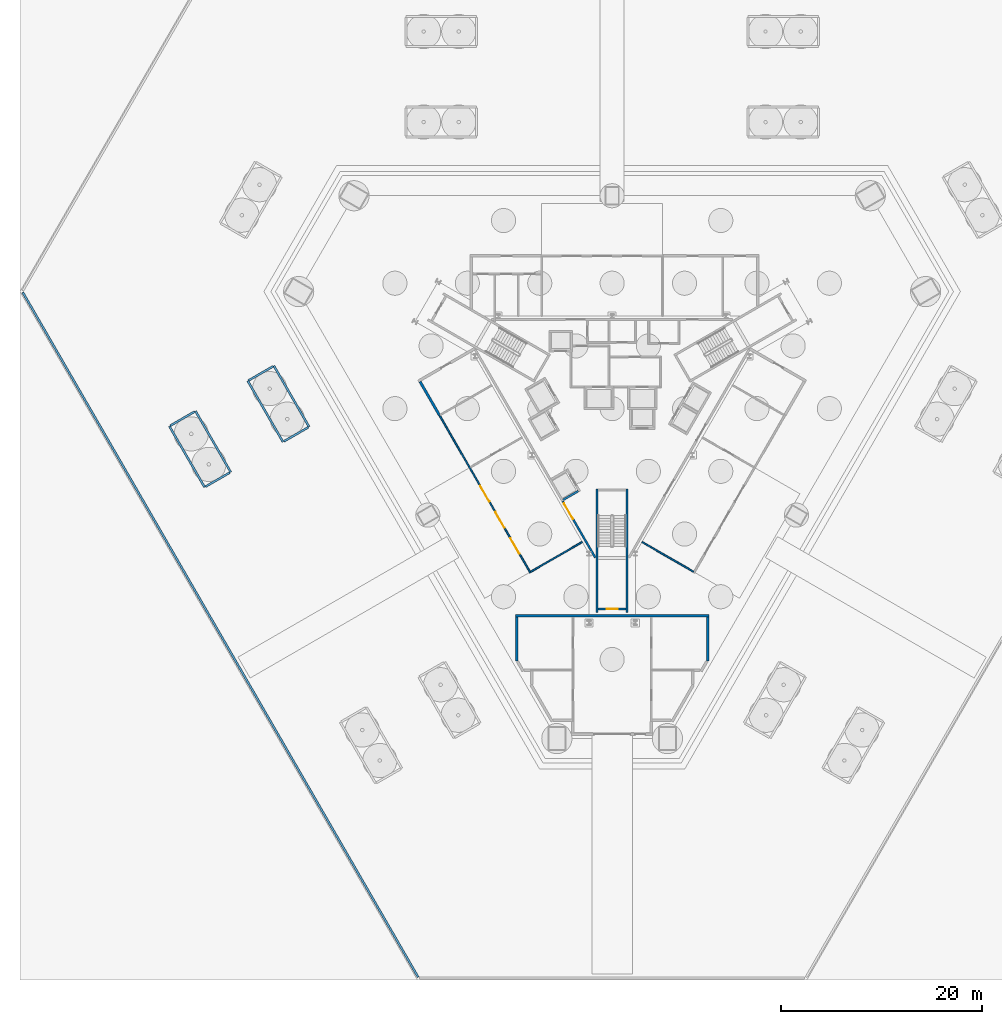
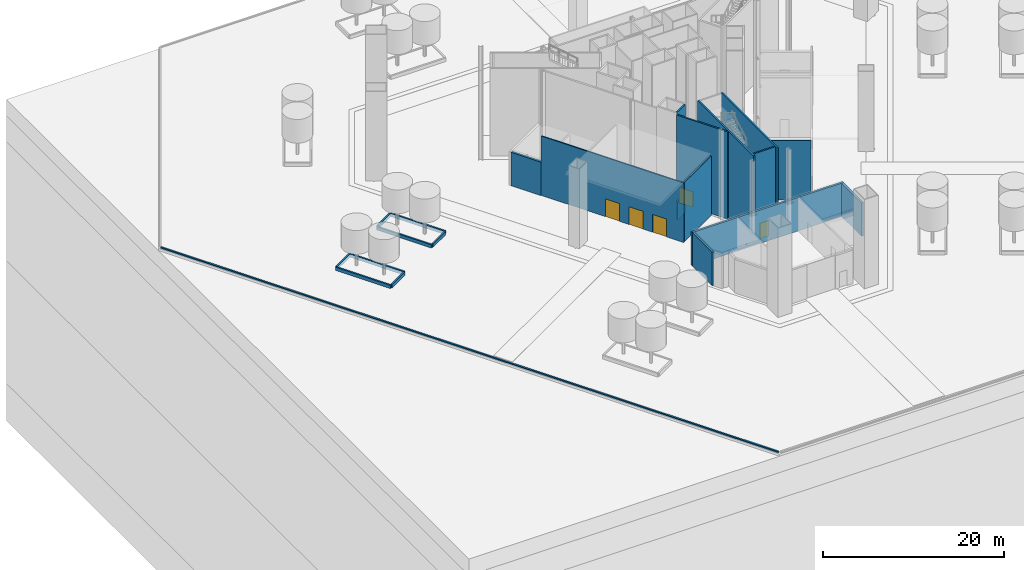
# One storey, part 5 of 22: 22 walls, 5 doors, 5 openings.
"""IFC4 building model written with IfcOpenShell, lengths in metres."""

from ifc_helpers import new_model, si_unit, direction, frame, frame_2d, origin, place, context, subcontext, project, spatial, rectangle, extrude, material, layer, layer_set, type_object, element, fill, save


model = new_model("IFC4")

# Units and contexts
model_context = context("Model", 3, precision=1e-05, world=origin(), true_north=direction((0.0, 1.0)))
body_context = subcontext(model_context, "Body", "Model", "MODEL_VIEW")
ifc_project = project(units=[si_unit("LENGTHUNIT", "METRE"), si_unit("AREAUNIT", "SQUARE_METRE"), si_unit("VOLUMEUNIT", "CUBIC_METRE"), si_unit("PLANEANGLEUNIT", "RADIAN"), si_unit("MASSUNIT", "GRAM", prefix="KILO")], contexts=[model_context])

# Site, building, storey
site_placement = place(None, origin())
site = spatial("IfcSite", under=ifc_project, at=site_placement, CompositionType="ELEMENT")
building_placement = place(site_placement, origin())
building = spatial("IfcBuilding", under=site, at=building_placement, Name="Verrane Prism Tower", CompositionType="ELEMENT")
storey_placement = place(building_placement, origin())
storey = spatial("IfcBuildingStorey", under=building, at=storey_placement, Name="L00", CompositionType="ELEMENT", Elevation=0.0)

# Wall, opening, door
ifc_material_1 = material(Name="Gypsum board partition", Category="other")
ifc_layer_1 = layer(ifc_material_1, 0.199951171875)
ifc_layer_set_1 = layer_set([ifc_layer_1], Name="CW-200 core boundary wall 2 h")
wall_type_1 = type_object("IfcWallType", Name="CW-200 core boundary wall 2 h", PredefinedType="PARTITIONING", material=ifc_layer_set_1)
wall_1_placement = place(storey_placement, frame((-4.9140625, -9.2080078125, 0.0), z_axis=(0.0, 0.0, 1.0), x_axis=(0.499947703927, -0.866055594831, 0.0)))
wall_1 = element("IfcWall", 1, at=wall_1_placement, inside=storey, type_object=wall_type_1, Name="Core boundary wall CW3-003", PredefinedType="PARTITIONING", context=body_context, shape_type="SweptSolid", body=[
    extrude(rectangle(XDim=6.473876953125, YDim=0.199951171875, at=frame_2d((3.23681640625, 0.0))), origin(), (0.0, 0.0, 1.0), 11.75),
])
opening_1_placement = place(wall_1_placement, frame((0.25, 0.0, 0.0)))
opening_1 = element("IfcOpeningElement", 2, at=opening_1_placement, cuts=wall_1, Name="Opening D00514", PredefinedType="OPENING", context=body_context, shape_type="SweptSolid", body=[
    extrude(rectangle(XDim=1.800048828125, YDim=2.10009765625, at=frame_2d((0.89990234375, 1.050048828125))), frame((0.0, 0.10986328125, 0.0), z_axis=(0.0, -1.0, 0.0), x_axis=(1.0, 0.0, 0.0)), (0.0, 0.0, 1.0), 0.219970703125),
])
ifc_material_2 = material(Name="Timber veneered door leaf", Category="wood")
door_type_1 = type_object("IfcDoorType", Name="DR-1800x2100 FD60 double leaf lift lobby", OperationType="NOTDEFINED", PredefinedType="DOOR", material=ifc_material_2)
door_1_placement = place(opening_1_placement, origin())
door_1 = element("IfcDoor", 3, at=door_1_placement, inside=storey, type_object=door_type_1, Name="Lift lobby door D00514", OperationType="DOUBLE_DOOR_SINGLE_SWING", OverallHeight=2.10009765625, OverallWidth=1.800048828125, PredefinedType="DOOR", context=body_context, shape_type="SweptSolid", body=[
    extrude(rectangle(XDim=1.800048828125, YDim=2.10009765625, at=frame_2d((0.89990234375, 1.050048828125))), frame((0.0, 0.02490234375, 0.0), z_axis=(0.0, -1.0, 0.0), x_axis=(1.0, 0.0, 0.0)), (0.0, 0.0, 1.0), 0.050048828125),
])
fill(opening_1, door_1)

ifc_material_3 = material(Name="Concrete C40/50", Category="concrete")
ifc_layer_2 = layer(ifc_material_3, 0.199951171875)
ifc_layer_set_2 = layer_set([ifc_layer_2], Name="CW-200 stair core wall concrete C40/50 3 h")
wall_type_2 = type_object("IfcWallType", Name="CW-200 stair core wall concrete C40/50 3 h", PredefinedType="PARTITIONING", material=ifc_layer_set_2)
wall_2_placement = place(storey_placement, frame((-1.39990234375, -19.89990234375, 0.0), z_axis=(0.0, 0.0, 1.0), x_axis=(1.0, 0.0, 0.0)))
wall_2 = element("IfcWall", 4, at=wall_2_placement, inside=storey, type_object=wall_type_2, Name="Stair 3 enclosure wall", PredefinedType="PARTITIONING", context=body_context, shape_type="SweptSolid", body=[
    extrude(rectangle(XDim=2.7998046875, YDim=0.199951171875, at=frame_2d((1.39990234375, 0.0))), origin(), (0.0, 0.0, 1.0), 11.75),
])
opening_2_placement = place(wall_2_placement, frame((0.85009765625, 0.0, 0.0)))
opening_2 = element("IfcOpeningElement", 5, at=opening_2_placement, cuts=wall_2, Name="Opening D00502", PredefinedType="OPENING", context=body_context, shape_type="SweptSolid", body=[
    extrude(rectangle(XDim=1.10009765625, YDim=2.10009765625, at=frame_2d((0.550048828125, 1.050048828125))), frame((0.0, 0.10986328125, 0.0), z_axis=(0.0, -1.0, 0.0), x_axis=(1.0, 0.0, 0.0)), (0.0, 0.0, 1.0), 0.219970703125),
])
ifc_material_4 = material(Name="Timber veneered door leaf", Category="wood")
door_type_2 = type_object("IfcDoorType", Name="DR-1100x2100 FD90 single leaf stair", OperationType="NOTDEFINED", PredefinedType="DOOR", material=ifc_material_4)
door_2_placement = place(opening_2_placement, frame((1.10009765625, 0.0, 0.0), z_axis=(0.0, 0.0, 1.0), x_axis=(-1.0, 0.0, 0.0)))
door_2 = element("IfcDoor", 6, at=door_2_placement, inside=storey, type_object=door_type_2, Name="Stair 3 door", OperationType="SINGLE_SWING_LEFT", OverallHeight=2.10009765625, OverallWidth=1.10009765625, PredefinedType="DOOR", context=body_context, shape_type="SweptSolid", body=[
    extrude(rectangle(XDim=1.10009765625, YDim=2.10009765625, at=frame_2d((0.550048828125, 1.050048828125))), frame((0.0, 0.02490234375, 0.0), z_axis=(0.0, -1.0, 0.0), x_axis=(1.0, 0.0, 0.0)), (0.0, 0.0, 1.0), 0.050048828125),
])
fill(opening_2, door_2)

# Walls
for number, where, z_axis, x_axis, name in (
    (7, (1.5, -8.0, 0.0), (0.0, 0.0, 1.0), (0.0, -1.0, 0.0), "Stair 3 enclosure wall"),
    (8, (-1.5, -8.0, 0.0), (0.0, 0.0, 1.0), (0.0, -1.0, 0.0), "Stair 3 enclosure wall"),
):
    element("IfcWall", number, at=place(storey_placement, frame(where, z_axis=z_axis, x_axis=x_axis)), inside=storey, type_object=wall_type_2, Name=name, PredefinedType="PARTITIONING", context=body_context, shape_type="SweptSolid", body=[
        extrude(rectangle(XDim=12.280029296875, YDim=0.199951171875, at=frame_2d((6.14013671875, 0.0))), origin(), (0.0, 0.0, 1.0), 11.75),
    ])
ifc_material_5 = material(Name="Concrete C30/37", Category="concrete")
ifc_layer_3 = layer(ifc_material_5, 0.25)
ifc_layer_set_3 = layer_set([ifc_layer_3], Name="EW-250 service enclosure wall")
wall_type_3 = type_object("IfcWallType", Name="EW-250 service enclosure wall", PredefinedType="SOLIDWALL", material=ifc_layer_set_3)
wall_3_placement = place(storey_placement, frame((-19.1015625, 2.683837890625, 0.0), z_axis=(0.0, 0.0, 1.0), x_axis=(0.49999591573, -0.866027761826, 0.0)))
element("IfcWall", 9, at=wall_3_placement, inside=storey, type_object=wall_type_3, Name="Service room wall 001", PredefinedType="SOLIDWALL", context=body_context, shape_type="SweptSolid", body=[
    extrude(rectangle(XDim=3.8125, YDim=0.25, at=frame_2d((1.90625, 0.0))), origin(), (0.0, 0.0, 1.0), 4.5),
])
wall_4_placement = place(storey_placement, frame((-9.5, -25.110107421875, 0.0), z_axis=(0.0, 0.0, 1.0), x_axis=(0.0, 1.0, 0.0)))
element("IfcWall", 10, at=wall_4_placement, inside=storey, type_object=wall_type_3, Name="Service room wall 010", PredefinedType="SOLIDWALL", context=body_context, shape_type="SweptSolid", body=[
    extrude(rectangle(XDim=4.385009765625, YDim=0.25, at=frame_2d((2.1923828125, 0.0))), origin(), (0.0, 0.0, 1.0), 4.5),
])
wall_5_placement = place(storey_placement, frame((-9.625, -20.60009765625, 0.0), z_axis=(0.0, 0.0, 1.0), x_axis=(1.0, 0.0, 0.0)))
element("IfcWall", 11, at=wall_5_placement, inside=storey, type_object=wall_type_3, Name="Service room wall 012", PredefinedType="SOLIDWALL", context=body_context, shape_type="SweptSolid", body=[
    extrude(rectangle(XDim=19.25, YDim=0.25, at=frame_2d((9.625, 0.0))), origin(), (0.0, 0.0, 1.0), 4.5),
])
wall_6_placement = place(storey_placement, frame((9.5, -25.110107421875, 0.0), z_axis=(0.0, 0.0, 1.0), x_axis=(0.0, 1.0, 0.0)))
element("IfcWall", 12, at=wall_6_placement, inside=storey, type_object=wall_type_3, Name="Service room wall 038", PredefinedType="SOLIDWALL", context=body_context, shape_type="SweptSolid", body=[
    extrude(rectangle(XDim=4.385009765625, YDim=0.25, at=frame_2d((2.1923828125, 0.0))), origin(), (0.0, 0.0, 1.0), 4.5),
])
ifc_material_6 = material(Name="Gypsum board shaft wall assembly", Category="other")
ifc_layer_4 = layer(ifc_material_6, 0.199951171875)
ifc_layer_set_4 = layer_set([ifc_layer_4], Name="HW-200 lift shaft wall 2 h")
wall_type_4 = type_object("IfcWallType", Name="HW-200 lift shaft wall 2 h", PredefinedType="PARTITIONING", material=ifc_layer_set_4)
wall_7_placement = place(storey_placement, frame((-4.87890625, -9.069580078125, 0.0), z_axis=(0.0, 0.0, 1.0), x_axis=(0.866036909293, 0.499980071345, 0.0)))
element("IfcWall", 13, at=wall_7_placement, inside=storey, type_object=wall_type_4, Name="Lift shaft wall", PredefinedType="PARTITIONING", context=body_context, shape_type="SweptSolid", body=[
    extrude(rectangle(XDim=1.75, YDim=0.199951171875, at=frame_2d((0.875, 0.0))), origin(), (0.0, 0.0, 1.0), 12.0),
])
wall_8_placement = place(storey_placement, frame((-4.87890625, -9.069580078125, -2.5), z_axis=(0.0, 0.0, 1.0), x_axis=(0.866036909293, 0.499980071345, 0.0)))
element("IfcWall", 14, at=wall_8_placement, inside=storey, type_object=wall_type_4, Name="Lift pit wall", PredefinedType="PARTITIONING", context=body_context, shape_type="SweptSolid", body=[
    extrude(rectangle(XDim=1.75, YDim=0.199951171875, at=frame_2d((0.875, 0.0))), origin(), (0.0, 0.0, 1.0), 2.5),
])
ifc_material_7 = material(Name="Granite kerb on concrete C25/30", Category="masonry")
ifc_layer_5 = layer(ifc_material_7, 0.199951171875)
ifc_layer_set_5 = layer_set([ifc_layer_5], Name="KB-200 granite kerb")
wall_type_5 = type_object("IfcWallType", Name="KB-200 granite kerb", PredefinedType="SOLIDWALL", material=ifc_layer_set_5)
wall_9_placement = place(storey_placement, frame((-58.599365234375, 11.55712890625, 0.0), z_axis=(0.0, 0.0, 1.0), x_axis=(0.499999064592, -0.866025943842, 0.0)))
element("IfcWall", 15, at=wall_9_placement, inside=storey, type_object=wall_type_5, Name="Plaza kerb 3", PredefinedType="SOLIDWALL", context=body_context, shape_type="SweptSolid", body=[
    extrude(rectangle(XDim=78.616943359375, YDim=0.199951171875, at=frame_2d((39.30859375, 0.0))), origin(), (0.0, 0.0, 1.0), 0.14990234375),
])
for number, where, z_axis, x_axis, name in (
    (16, (-33.6328125, 4.25341796875, 0.0), (0.0, 0.0, 1.0), (0.500010275428, -0.866019471182, 0.0), "Bed kerb 5.1"),
    (17, (-32.730712890625, -3.30859375, 0.0), (0.0, 0.0, 1.0), (-0.500010275428, 0.866019471182, 0.0), "Bed kerb 5.2"),
):
    element("IfcWall", number, at=place(storey_placement, frame(where, z_axis=z_axis, x_axis=x_axis)), inside=storey, type_object=wall_type_5, Name=name, PredefinedType="SOLIDWALL", context=body_context, shape_type="SweptSolid", body=[
        extrude(rectangle(XDim=6.999755859375, YDim=0.199951171875, at=frame_2d((3.5, 0.0))), origin(), (0.0, 0.0, 1.0), 0.449951171875),
    ])
for number, where, z_axis, x_axis, name in (
    (18, (-30.21923828125, -1.858642578125, 0.0), (0.0, 0.0, 1.0), (-0.866018616679, -0.500011755427, 0.0), "Bed kerb 5.3"),
    (19, (-36.144287109375, 2.803466796875, 0.0), (0.0, 0.0, 1.0), (0.866018616679, 0.500011755427, 0.0), "Bed kerb 5.4"),
):
    element("IfcWall", number, at=place(storey_placement, frame(where, z_axis=z_axis, x_axis=x_axis)), inside=storey, type_object=wall_type_5, Name=name, PredefinedType="SOLIDWALL", context=body_context, shape_type="SweptSolid", body=[
        extrude(rectangle(XDim=2.80029296875, YDim=0.199951171875, at=frame_2d((1.400146484375, 0.0))), origin(), (0.0, 0.0, 1.0), 0.449951171875),
    ])
for number, where, z_axis, x_axis, name in (
    (20, (-41.427001953125, -0.24658203125, 0.0), (0.0, 0.0, 1.0), (0.500010275428, -0.866019471182, 0.0), "Bed kerb 7.1"),
    (21, (-40.52490234375, -7.80859375, 0.0), (0.0, 0.0, 1.0), (-0.500010275428, 0.866019471182, 0.0), "Bed kerb 7.2"),
):
    element("IfcWall", number, at=place(storey_placement, frame(where, z_axis=z_axis, x_axis=x_axis)), inside=storey, type_object=wall_type_5, Name=name, PredefinedType="SOLIDWALL", context=body_context, shape_type="SweptSolid", body=[
        extrude(rectangle(XDim=6.999755859375, YDim=0.199951171875, at=frame_2d((3.5, 0.0))), origin(), (0.0, 0.0, 1.0), 0.449951171875),
    ])
for number, where, z_axis, x_axis, name in (
    (22, (-38.013427734375, -6.358642578125, 0.0), (0.0, 0.0, 1.0), (-0.866018616679, -0.500011755427, 0.0), "Bed kerb 7.3"),
    (23, (-43.9384765625, -1.696533203125, 0.0), (0.0, 0.0, 1.0), (0.866018616679, 0.500011755427, 0.0), "Bed kerb 7.4"),
):
    element("IfcWall", number, at=place(storey_placement, frame(where, z_axis=z_axis, x_axis=x_axis)), inside=storey, type_object=wall_type_5, Name=name, PredefinedType="SOLIDWALL", context=body_context, shape_type="SweptSolid", body=[
        extrude(rectangle(XDim=2.80029296875, YDim=0.199951171875, at=frame_2d((1.400146484375, 0.0))), origin(), (0.0, 0.0, 1.0), 0.449951171875),
    ])

# Wall, openings, doors
ifc_material_8 = material(Name="Aluminium storefront glazing", Category="aluminium")
ifc_layer_6 = layer(ifc_material_8, 0.14990234375)
ifc_layer_set_6 = layer_set([ifc_layer_6], Name="SF-150 glazed storefront wall")
wall_type_6 = type_object("IfcWallType", Name="SF-150 glazed storefront wall", PredefinedType="SOLIDWALL", material=ifc_layer_set_6)
wall_10_placement = place(storey_placement, frame((-17.1953125, -0.617919921875, 0.0), z_axis=(0.0, 0.0, 1.0), x_axis=(0.500016083065, -0.866016118023, 0.0)))
wall_10 = element("IfcWall", 24, at=wall_10_placement, inside=storey, type_object=wall_type_6, Name="Storefront wall 004", PredefinedType="SOLIDWALL", context=body_context, shape_type="SweptSolid", body=[
    extrude(rectangle(XDim=18.13720703125, YDim=0.14990234375, at=frame_2d((9.068603515625, 0.0))), origin(), (0.0, 0.0, 1.0), 8.0),
])
opening_3_placement = place(wall_10_placement, frame((8.16259765625, 0.0, 0.0)))
opening_3 = element("IfcOpeningElement", 25, at=opening_3_placement, cuts=wall_10, Name="Opening D00015", PredefinedType="OPENING", context=body_context, shape_type="SweptSolid", body=[
    extrude(rectangle(XDim=1.800048828125, YDim=2.39990234375, at=frame_2d((0.89990234375, 1.199951171875))), frame((0.0, 0.0849609375, 0.0), z_axis=(0.0, -1.0, 0.0), x_axis=(1.0, 0.0, 0.0)), (0.0, 0.0, 1.0), 0.169921875),
])
opening_4_placement = place(wall_10_placement, frame((11.16259765625, 0.0, 0.0)))
opening_4 = element("IfcOpeningElement", 26, at=opening_4_placement, cuts=wall_10, Name="Opening D00016", PredefinedType="OPENING", context=body_context, shape_type="SweptSolid", body=[
    extrude(rectangle(XDim=1.800048828125, YDim=2.39990234375, at=frame_2d((0.89990234375, 1.199951171875))), frame((0.0, 0.0849609375, 0.0), z_axis=(0.0, -1.0, 0.0), x_axis=(1.0, 0.0, 0.0)), (0.0, 0.0, 1.0), 0.169921875),
])
opening_5_placement = place(wall_10_placement, frame((14.16259765625, 0.0, 0.0)))
opening_5 = element("IfcOpeningElement", 27, at=opening_5_placement, cuts=wall_10, Name="Opening D00017", PredefinedType="OPENING", context=body_context, shape_type="SweptSolid", body=[
    extrude(rectangle(XDim=1.800048828125, YDim=2.39990234375, at=frame_2d((0.89990234375, 1.199951171875))), frame((0.0, 0.0849609375, 0.0), z_axis=(0.0, -1.0, 0.0), x_axis=(1.0, 0.0, 0.0)), (0.0, 0.0, 1.0), 0.169921875),
])
ifc_material_9 = material(Name="Aluminium and glass door leaf", Category="aluminium")
door_type_3 = type_object("IfcDoorType", Name="DR-1800x2400 double leaf entrance", OperationType="NOTDEFINED", PredefinedType="DOOR", material=ifc_material_9)
door_3_placement = place(opening_3_placement, frame((1.800048828125, 0.0, 0.0), z_axis=(0.0, 0.0, 1.0), x_axis=(-1.0, 0.0, 0.0)))
door_3 = element("IfcDoor", 28, at=door_3_placement, inside=storey, type_object=door_type_3, Name="Exit door Residences Lobby", OperationType="DOUBLE_DOOR_SINGLE_SWING", OverallHeight=2.39990234375, OverallWidth=1.800048828125, PredefinedType="DOOR", context=body_context, shape_type="SweptSolid", body=[
    extrude(rectangle(XDim=1.800048828125, YDim=2.39990234375, at=frame_2d((0.89990234375, 1.199951171875))), frame((0.0, 0.02490234375, 0.0), z_axis=(0.0, -1.0, 0.0), x_axis=(1.0, 0.0, 0.0)), (0.0, 0.0, 1.0), 0.050048828125),
])
fill(opening_3, door_3)
door_4_placement = place(opening_4_placement, frame((1.800048828125, 0.0, 0.0), z_axis=(0.0, 0.0, 1.0), x_axis=(-1.0, 0.0, 0.0)))
door_4 = element("IfcDoor", 29, at=door_4_placement, inside=storey, type_object=door_type_3, Name="Exit door Residences Lobby", OperationType="DOUBLE_DOOR_SINGLE_SWING", OverallHeight=2.39990234375, OverallWidth=1.800048828125, PredefinedType="DOOR", context=body_context, shape_type="SweptSolid", body=[
    extrude(rectangle(XDim=1.800048828125, YDim=2.39990234375, at=frame_2d((0.89990234375, 1.199951171875))), frame((0.0, 0.02490234375, 0.0), z_axis=(0.0, -1.0, 0.0), x_axis=(1.0, 0.0, 0.0)), (0.0, 0.0, 1.0), 0.050048828125),
])
fill(opening_4, door_4)
door_5_placement = place(opening_5_placement, frame((1.800048828125, 0.0, 0.0), z_axis=(0.0, 0.0, 1.0), x_axis=(-1.0, 0.0, 0.0)))
door_5 = element("IfcDoor", 30, at=door_5_placement, inside=storey, type_object=door_type_3, Name="Exit door Residences Lobby", OperationType="DOUBLE_DOOR_SINGLE_SWING", OverallHeight=2.39990234375, OverallWidth=1.800048828125, PredefinedType="DOOR", context=body_context, shape_type="SweptSolid", body=[
    extrude(rectangle(XDim=1.800048828125, YDim=2.39990234375, at=frame_2d((0.89990234375, 1.199951171875))), frame((0.0, 0.02490234375, 0.0), z_axis=(0.0, -1.0, 0.0), x_axis=(1.0, 0.0, 0.0)), (0.0, 0.0, 1.0), 0.050048828125),
])
fill(opening_5, door_5)

# Walls
for number, where, z_axis, x_axis, name in (
    (31, (-8.09912109375, -16.222412109375, 0.0), (0.0, 0.0, 1.0), (0.866028447878, 0.499994727438, 0.0), "Storefront wall 015"),
    (32, (2.968017578125, -13.260009765625, 0.0), (0.0, 0.0, 1.0), (0.866028447878, -0.499994727438, 0.0), "Storefront wall 025"),
):
    element("IfcWall", number, at=place(storey_placement, frame(where, z_axis=z_axis, x_axis=x_axis)), inside=storey, type_object=wall_type_6, Name=name, PredefinedType="SOLIDWALL", context=body_context, shape_type="SweptSolid", body=[
        extrude(rectangle(XDim=5.9248046875, YDim=0.14990234375, at=frame_2d((2.96240234375, 0.0))), origin(), (0.0, 0.0, 1.0), 8.0),
    ])

save(model, "model.ifc")
